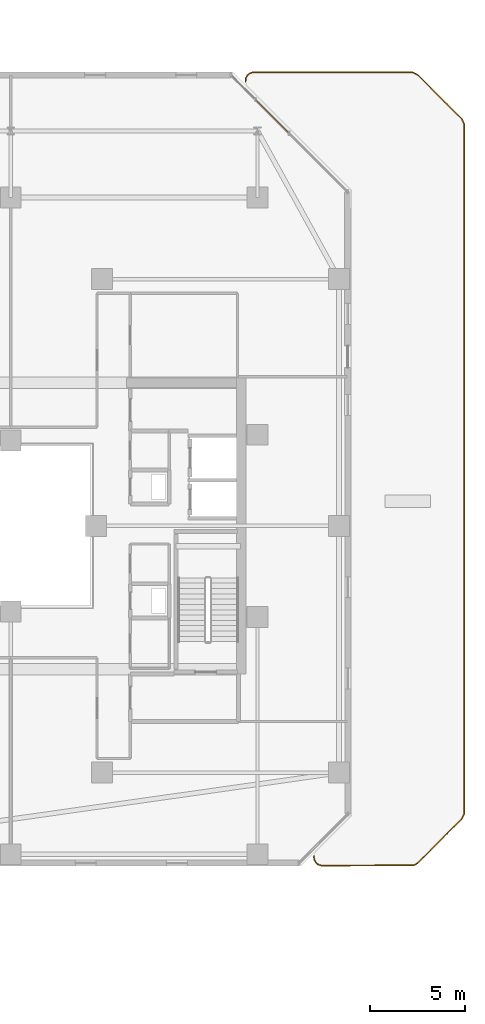
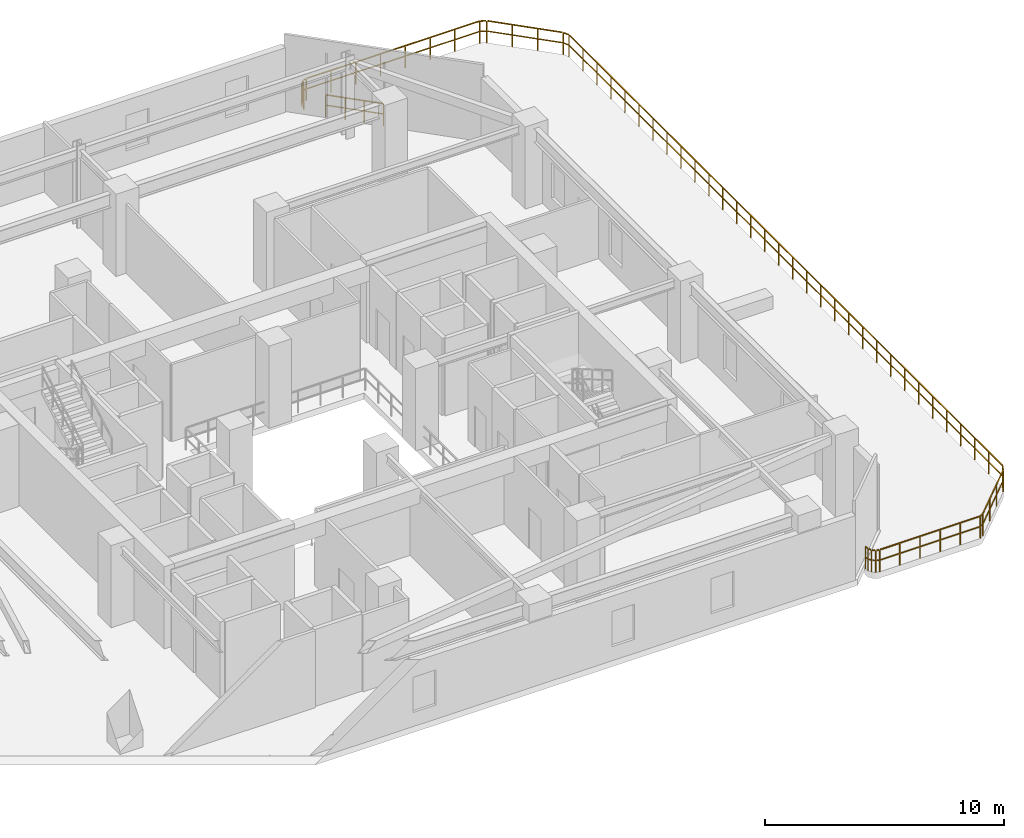
# One storey, part 33 of 33: 3 railings.
"""IFC4 building model written with IfcOpenShell, lengths in metres."""

from ifc_helpers import new_model, si_unit, direction, frame, origin, origin_2d, place, context, subcontext, project, spatial, rectangle, extrude, material, type_object, element, save


model = new_model("IFC4")

# Units and contexts
model_context = context("Model", 3, precision=1e-05, world=origin(), true_north=direction((0.0, 1.0)))
body_context = subcontext(model_context, "Body", "Model", "MODEL_VIEW")
ifc_project = project(units=[si_unit("LENGTHUNIT", "METRE"), si_unit("AREAUNIT", "SQUARE_METRE"), si_unit("VOLUMEUNIT", "CUBIC_METRE"), si_unit("PLANEANGLEUNIT", "RADIAN"), si_unit("MASSUNIT", "GRAM", prefix="KILO")], contexts=[model_context])

# Site, building, storey
site_placement = place(None, origin())
site = spatial("IfcSite", under=ifc_project, at=site_placement, CompositionType="ELEMENT")
building_placement = place(site_placement, origin())
building = spatial("IfcBuilding", under=site, at=building_placement, Name="Thornwick Lancets Civic Towers", CompositionType="ELEMENT")
storey_placement = place(building_placement, frame((0.0, 0.0, 174.300048828125)))
storey = spatial("IfcBuildingStorey", under=building, at=storey_placement, Name="L46", CompositionType="ELEMENT", Elevation=174.300048828125)

# Railings
ifc_material = material(Name="Terracotta-capped laminated glass balustrade S355", Category="masonry")
railing_type = type_object("IfcRailingType", Name="RAIL_TERR_GUARD", PredefinedType="GUARDRAIL", material=ifc_material)
railing_1_placement = place(storey_placement, frame((103.158447265625, 47.690673828125, 0.0)))
element("IfcRailing", 1, at=railing_1_placement, inside=storey, type_object=railing_type, Name="L46 Tower B Chamfer Spandrel Guard E3-1", PredefinedType="GUARDRAIL", context=body_context, shape_type="SweptSolid", body=[
    extrude(rectangle(XDim=0.048095703125, YDim=0.048095703125, at=origin_2d()), frame((0.0, 0.0, 1.1259765625), z_axis=(-0.707106781187, 0.707106781187, 0.0), x_axis=(-0.707106781187, -0.707106781187, 0.0)), (0.0, 0.0, 1.0), 2.5),
    extrude(rectangle(XDim=0.0419921875, YDim=0.0419921875, at=origin_2d()), frame((-0.026611328125, 0.026611328125, 0.597900390625), z_axis=(-0.707106781187, 0.707106781187, 0.0), x_axis=(-0.707106781187, -0.707106781187, 0.0)), (0.0, 0.0, 1.0), 0.75830078125),
    extrude(rectangle(XDim=0.0419921875, YDim=0.0419921875, at=origin_2d()), frame((-0.61572265625, 0.61572265625, 0.597900390625), z_axis=(-0.707106781187, 0.707106781187, 0.0), x_axis=(-0.707106781187, -0.707106781187, 0.0)), (0.0, 0.0, 1.0), 0.75830078125),
    extrude(rectangle(XDim=0.0419921875, YDim=0.0419921875, at=origin_2d()), frame((-1.205078125, 1.205078125, 0.597900390625), z_axis=(-0.707106781187, 0.707106781187, 0.0), x_axis=(-0.707106781187, -0.707106781187, 0.0)), (0.0, 0.0, 1.0), 0.75830078125),
    extrude(rectangle(XDim=0.0419921875, YDim=0.0419921875, at=origin_2d()), origin(), (0.0, 0.0, 1.0), 1.095703125),
    extrude(rectangle(XDim=0.0419921875, YDim=0.0419921875, at=origin_2d()), frame((-0.58935546875, 0.58935546875, 0.0)), (0.0, 0.0, 1.0), 1.095703125),
    extrude(rectangle(XDim=0.0419921875, YDim=0.0419921875, at=origin_2d()), frame((-1.178466796875, 1.178466796875, 0.0)), (0.0, 0.0, 1.0), 1.095703125),
    extrude(rectangle(XDim=0.0419921875, YDim=0.0419921875, at=origin_2d()), frame((-1.767822265625, 1.767822265625, 0.0)), (0.0, 0.0, 1.0), 1.095703125),
])
railing_2_placement = place(storey_placement, frame((109.65771484375, 50.897705078125, 0.0)))
element("IfcRailing", 2, at=railing_2_placement, inside=storey, type_object=railing_type, Name="L46 Tower B Sky-Garden Guard 1 Part 1", PredefinedType="GUARDRAIL", context=body_context, shape_type="SweptSolid", body=[
    extrude(rectangle(XDim=0.048095703125, YDim=0.048095703125, at=origin_2d()), frame((0.0, 0.0, 1.1259765625), z_axis=(0.904343633652, -0.426805098696, 0.0), x_axis=(0.426805098696, 0.904343633652, 0.0)), (0.0, 0.0, 1.0), 0.27197265625),
    extrude(rectangle(XDim=0.0419921875, YDim=0.0419921875, at=origin_2d()), frame((0.033935546875, -0.01611328125, 0.597900390625), z_axis=(0.904343633652, -0.426805098696, 0.0), x_axis=(0.426805098696, 0.904343633652, 0.0)), (0.0, 0.0, 1.0), 0.228271484375),
    extrude(rectangle(XDim=0.048095703125, YDim=0.048095703125, at=origin_2d()), frame((0.29638671875, -0.151611328125, 1.1259765625), z_axis=(0.707106781187, -0.707106781187, 0.0), x_axis=(0.707106781187, 0.707106781187, 0.0)), (0.0, 0.0, 1.0), 3.24169921875),
    extrude(rectangle(XDim=0.0419921875, YDim=0.0419921875, at=origin_2d()), frame((0.30078125, -0.156005859375, 0.597900390625), z_axis=(0.707106781187, -0.707106781187, 0.0), x_axis=(0.707106781187, 0.707106781187, 0.0)), (0.0, 0.0, 1.0), 1.0263671875),
    extrude(rectangle(XDim=0.0419921875, YDim=0.0419921875, at=origin_2d()), frame((1.07958984375, -0.934814453125, 0.597900390625), z_axis=(0.707106781187, -0.707106781187, 0.0), x_axis=(0.707106781187, 0.707106781187, 0.0)), (0.0, 0.0, 1.0), 1.0263671875),
    extrude(rectangle(XDim=0.0419921875, YDim=0.0419921875, at=origin_2d()), frame((1.8583984375, -1.713623046875, 0.597900390625), z_axis=(0.707106781187, -0.707106781187, 0.0), x_axis=(0.707106781187, 0.707106781187, 0.0)), (0.0, 0.0, 1.0), 1.0263671875),
    extrude(rectangle(XDim=0.048095703125, YDim=0.048095703125, at=origin_2d()), frame((2.6240234375, -2.494140625, 1.1259765625), z_axis=(0.426805098696, -0.904343633652, 0.0), x_axis=(0.904343633652, 0.426805098696, 0.0)), (0.0, 0.0, 1.0), 0.24072265625),
    extrude(rectangle(XDim=0.0419921875, YDim=0.0419921875, at=origin_2d()), frame((2.626708984375, -2.499755859375, 0.597900390625), z_axis=(0.426805098696, -0.904343633652, 0.0), x_axis=(0.904343633652, 0.426805098696, 0.0)), (0.0, 0.0, 1.0), 0.228271484375),
    extrude(rectangle(XDim=0.048095703125, YDim=0.048095703125, at=origin_2d()), frame((2.739990234375, -2.771240234375, 1.1259765625), z_axis=(0.0, -1.0, 0.0), x_axis=(1.0, 0.0, 0.0)), (0.0, 0.0, 1.0), 36.2529296875),
    extrude(rectangle(XDim=0.0419921875, YDim=0.0419921875, at=origin_2d()), frame((2.739990234375, -2.777587890625, 0.597900390625), z_axis=(0.0, -1.0, 0.0), x_axis=(1.0, 0.0, 0.0)), (0.0, 0.0, 1.0), 1.096435546875),
    extrude(rectangle(XDim=0.0419921875, YDim=0.0419921875, at=origin_2d()), frame((2.739990234375, -3.948974609375, 0.597900390625), z_axis=(0.0, -1.0, 0.0), x_axis=(1.0, 0.0, 0.0)), (0.0, 0.0, 1.0), 1.096435546875),
    extrude(rectangle(XDim=0.0419921875, YDim=0.0419921875, at=origin_2d()), frame((2.739990234375, -5.120361328125, 0.597900390625), z_axis=(0.0, -1.0, 0.0), x_axis=(1.0, 0.0, 0.0)), (0.0, 0.0, 1.0), 1.096435546875),
    extrude(rectangle(XDim=0.0419921875, YDim=0.0419921875, at=origin_2d()), frame((2.739990234375, -6.2919921875, 0.597900390625), z_axis=(0.0, -1.0, 0.0), x_axis=(1.0, 0.0, 0.0)), (0.0, 0.0, 1.0), 1.096435546875),
    extrude(rectangle(XDim=0.0419921875, YDim=0.0419921875, at=origin_2d()), frame((2.739990234375, -7.46337890625, 0.597900390625), z_axis=(0.0, -1.0, 0.0), x_axis=(1.0, 0.0, 0.0)), (0.0, 0.0, 1.0), 1.096435546875),
    extrude(rectangle(XDim=0.0419921875, YDim=0.0419921875, at=origin_2d()), frame((2.739990234375, -8.634765625, 0.597900390625), z_axis=(0.0, -1.0, 0.0), x_axis=(1.0, 0.0, 0.0)), (0.0, 0.0, 1.0), 1.096435546875),
    extrude(rectangle(XDim=0.0419921875, YDim=0.0419921875, at=origin_2d()), frame((2.739990234375, -9.806396484375, 0.597900390625), z_axis=(0.0, -1.0, 0.0), x_axis=(1.0, 0.0, 0.0)), (0.0, 0.0, 1.0), 1.096435546875),
    extrude(rectangle(XDim=0.0419921875, YDim=0.0419921875, at=origin_2d()), frame((2.739990234375, -10.977783203125, 0.597900390625), z_axis=(0.0, -1.0, 0.0), x_axis=(1.0, 0.0, 0.0)), (0.0, 0.0, 1.0), 1.096435546875),
    extrude(rectangle(XDim=0.0419921875, YDim=0.0419921875, at=origin_2d()), frame((2.739990234375, -12.149169921875, 0.597900390625), z_axis=(0.0, -1.0, 0.0), x_axis=(1.0, 0.0, 0.0)), (0.0, 0.0, 1.0), 1.096435546875),
    extrude(rectangle(XDim=0.0419921875, YDim=0.0419921875, at=origin_2d()), frame((2.739990234375, -13.320556640625, 0.597900390625), z_axis=(0.0, -1.0, 0.0), x_axis=(1.0, 0.0, 0.0)), (0.0, 0.0, 1.0), 1.096435546875),
    extrude(rectangle(XDim=0.0419921875, YDim=0.0419921875, at=origin_2d()), frame((2.739990234375, -14.4921875, 0.597900390625), z_axis=(0.0, -1.0, 0.0), x_axis=(1.0, 0.0, 0.0)), (0.0, 0.0, 1.0), 1.096435546875),
    extrude(rectangle(XDim=0.0419921875, YDim=0.0419921875, at=origin_2d()), frame((2.739990234375, -15.66357421875, 0.597900390625), z_axis=(0.0, -1.0, 0.0), x_axis=(1.0, 0.0, 0.0)), (0.0, 0.0, 1.0), 1.096435546875),
    extrude(rectangle(XDim=0.0419921875, YDim=0.0419921875, at=origin_2d()), frame((2.739990234375, -16.8349609375, 0.597900390625), z_axis=(0.0, -1.0, 0.0), x_axis=(1.0, 0.0, 0.0)), (0.0, 0.0, 1.0), 1.096435546875),
    extrude(rectangle(XDim=0.0419921875, YDim=0.0419921875, at=origin_2d()), frame((2.739990234375, -18.006591796875, 0.597900390625), z_axis=(0.0, -1.0, 0.0), x_axis=(1.0, 0.0, 0.0)), (0.0, 0.0, 1.0), 1.096435546875),
    extrude(rectangle(XDim=0.0419921875, YDim=0.0419921875, at=origin_2d()), frame((2.739990234375, -19.177978515625, 0.597900390625), z_axis=(0.0, -1.0, 0.0), x_axis=(1.0, 0.0, 0.0)), (0.0, 0.0, 1.0), 1.096435546875),
    extrude(rectangle(XDim=0.0419921875, YDim=0.0419921875, at=origin_2d()), frame((2.739990234375, -20.349365234375, 0.597900390625), z_axis=(0.0, -1.0, 0.0), x_axis=(1.0, 0.0, 0.0)), (0.0, 0.0, 1.0), 1.096435546875),
    extrude(rectangle(XDim=0.0419921875, YDim=0.0419921875, at=origin_2d()), frame((2.739990234375, -21.52099609375, 0.597900390625), z_axis=(0.0, -1.0, 0.0), x_axis=(1.0, 0.0, 0.0)), (0.0, 0.0, 1.0), 1.096435546875),
    extrude(rectangle(XDim=0.0419921875, YDim=0.0419921875, at=origin_2d()), frame((2.739990234375, -22.6923828125, 0.597900390625), z_axis=(0.0, -1.0, 0.0), x_axis=(1.0, 0.0, 0.0)), (0.0, 0.0, 1.0), 1.096435546875),
    extrude(rectangle(XDim=0.0419921875, YDim=0.0419921875, at=origin_2d()), frame((2.739990234375, -23.86376953125, 0.597900390625), z_axis=(0.0, -1.0, 0.0), x_axis=(1.0, 0.0, 0.0)), (0.0, 0.0, 1.0), 1.096435546875),
    extrude(rectangle(XDim=0.0419921875, YDim=0.0419921875, at=origin_2d()), frame((2.739990234375, -25.035400390625, 0.597900390625), z_axis=(0.0, -1.0, 0.0), x_axis=(1.0, 0.0, 0.0)), (0.0, 0.0, 1.0), 1.096435546875),
    extrude(rectangle(XDim=0.0419921875, YDim=0.0419921875, at=origin_2d()), frame((2.739990234375, -26.206787109375, 0.597900390625), z_axis=(0.0, -1.0, 0.0), x_axis=(1.0, 0.0, 0.0)), (0.0, 0.0, 1.0), 1.096435546875),
    extrude(rectangle(XDim=0.0419921875, YDim=0.0419921875, at=origin_2d()), frame((2.739990234375, -27.378173828125, 0.597900390625), z_axis=(0.0, -1.0, 0.0), x_axis=(1.0, 0.0, 0.0)), (0.0, 0.0, 1.0), 1.096435546875),
    extrude(rectangle(XDim=0.0419921875, YDim=0.0419921875, at=origin_2d()), frame((2.739990234375, -28.5498046875, 0.597900390625), z_axis=(0.0, -1.0, 0.0), x_axis=(1.0, 0.0, 0.0)), (0.0, 0.0, 1.0), 1.096435546875),
    extrude(rectangle(XDim=0.0419921875, YDim=0.0419921875, at=origin_2d()), frame((2.739990234375, -29.72119140625, 0.597900390625), z_axis=(0.0, -1.0, 0.0), x_axis=(1.0, 0.0, 0.0)), (0.0, 0.0, 1.0), 1.096435546875),
    extrude(rectangle(XDim=0.0419921875, YDim=0.0419921875, at=origin_2d()), frame((2.739990234375, -30.892578125, 0.597900390625), z_axis=(0.0, -1.0, 0.0), x_axis=(1.0, 0.0, 0.0)), (0.0, 0.0, 1.0), 1.096435546875),
    extrude(rectangle(XDim=0.0419921875, YDim=0.0419921875, at=origin_2d()), frame((2.739990234375, -32.064208984375, 0.597900390625), z_axis=(0.0, -1.0, 0.0), x_axis=(1.0, 0.0, 0.0)), (0.0, 0.0, 1.0), 1.096435546875),
    extrude(rectangle(XDim=0.0419921875, YDim=0.0419921875, at=origin_2d()), frame((2.739990234375, -33.235595703125, 0.597900390625), z_axis=(0.0, -1.0, 0.0), x_axis=(1.0, 0.0, 0.0)), (0.0, 0.0, 1.0), 1.096435546875),
    extrude(rectangle(XDim=0.0419921875, YDim=0.0419921875, at=origin_2d()), frame((2.739990234375, -34.406982421875, 0.597900390625), z_axis=(0.0, -1.0, 0.0), x_axis=(1.0, 0.0, 0.0)), (0.0, 0.0, 1.0), 1.096435546875),
    extrude(rectangle(XDim=0.0419921875, YDim=0.0419921875, at=origin_2d()), frame((2.739990234375, -35.57861328125, 0.597900390625), z_axis=(0.0, -1.0, 0.0), x_axis=(1.0, 0.0, 0.0)), (0.0, 0.0, 1.0), 1.096435546875),
    extrude(rectangle(XDim=0.0419921875, YDim=0.0419921875, at=origin_2d()), frame((2.739990234375, -36.75, 0.597900390625), z_axis=(0.0, -1.0, 0.0), x_axis=(1.0, 0.0, 0.0)), (0.0, 0.0, 1.0), 1.096435546875),
    extrude(rectangle(XDim=0.0419921875, YDim=0.0419921875, at=origin_2d()), frame((2.739990234375, -37.92138671875, 0.597900390625), z_axis=(0.0, -1.0, 0.0), x_axis=(1.0, 0.0, 0.0)), (0.0, 0.0, 1.0), 1.096435546875),
    extrude(rectangle(XDim=0.048095703125, YDim=0.048095703125, at=origin_2d()), frame((2.7265625, -39.083740234375, 1.1259765625), z_axis=(-0.426805098696, -0.904343633652, 0.0), x_axis=(0.904343633652, -0.426805098696, 0.0)), (0.0, 0.0, 1.0), 0.24072265625),
    extrude(rectangle(XDim=0.0419921875, YDim=0.0419921875, at=origin_2d()), frame((2.723876953125, -39.08935546875, 0.597900390625), z_axis=(-0.426805098696, -0.904343633652, 0.0), x_axis=(0.904343633652, -0.426805098696, 0.0)), (0.0, 0.0, 1.0), 0.228271484375),
    extrude(rectangle(XDim=0.048095703125, YDim=0.048095703125, at=origin_2d()), frame((2.58837890625, -39.351806640625, 1.1259765625), z_axis=(-0.707106781187, -0.707106781187, 0.0), x_axis=(0.707106781187, -0.707106781187, 0.0)), (0.0, 0.0, 1.0), 3.24169921875),
    extrude(rectangle(XDim=0.0419921875, YDim=0.0419921875, at=origin_2d()), frame((2.583984375, -39.356201171875, 0.597900390625), z_axis=(-0.707106781187, -0.707106781187, 0.0), x_axis=(0.707106781187, -0.707106781187, 0.0)), (0.0, 0.0, 1.0), 1.0263671875),
    extrude(rectangle(XDim=0.0419921875, YDim=0.0419921875, at=origin_2d()), frame((1.80517578125, -40.135009765625, 0.597900390625), z_axis=(-0.707106781187, -0.707106781187, 0.0), x_axis=(0.707106781187, -0.707106781187, 0.0)), (0.0, 0.0, 1.0), 1.0263671875),
    extrude(rectangle(XDim=0.0419921875, YDim=0.0419921875, at=origin_2d()), frame((1.0263671875, -40.913818359375, 0.597900390625), z_axis=(-0.707106781187, -0.707106781187, 0.0), x_axis=(0.707106781187, -0.707106781187, 0.0)), (0.0, 0.0, 1.0), 1.0263671875),
    extrude(rectangle(XDim=0.048095703125, YDim=0.048095703125, at=origin_2d()), frame((0.247314453125, -41.68212890625, 1.1259765625), z_axis=(-0.858181432178, -0.513346500392, 0.0), x_axis=(0.513346500392, -0.858181432178, 0.0)), (0.0, 0.0, 1.0), 0.15625),
    extrude(rectangle(XDim=0.0419921875, YDim=0.0419921875, at=origin_2d()), frame((0.241943359375, -41.685302734375, 0.597900390625), z_axis=(-0.858181432178, -0.513346500392, 0.0), x_axis=(0.513346500392, -0.858181432178, 0.0)), (0.0, 0.0, 1.0), 0.143798828125),
    extrude(rectangle(XDim=0.048095703125, YDim=0.048095703125, at=origin_2d()), frame((0.05517578125, -41.7783203125, 1.1259765625), z_axis=(-0.999993851715, -0.003506641099, 0.0), x_axis=(0.003506641099, -0.999993851715, 0.0)), (0.0, 0.0, 1.0), 4.81103515625),
    extrude(rectangle(XDim=0.0419921875, YDim=0.0419921875, at=origin_2d()), frame((0.048828125, -41.778564453125, 0.597900390625), z_axis=(-0.999993851715, -0.003506641099, 0.0), x_axis=(0.003506641099, -0.999993851715, 0.0)), (0.0, 0.0, 1.0), 0.899658203125),
    extrude(rectangle(XDim=0.0419921875, YDim=0.0419921875, at=origin_2d()), frame((-0.92578125, -41.781982421875, 0.597900390625), z_axis=(-0.999993851715, -0.003506641099, 0.0), x_axis=(0.003506641099, -0.999993851715, 0.0)), (0.0, 0.0, 1.0), 0.899658203125),
    extrude(rectangle(XDim=0.0419921875, YDim=0.0419921875, at=origin_2d()), frame((-1.900390625, -41.785400390625, 0.597900390625), z_axis=(-0.999993851715, -0.003506641099, 0.0), x_axis=(0.003506641099, -0.999993851715, 0.0)), (0.0, 0.0, 1.0), 0.899658203125),
    extrude(rectangle(XDim=0.0419921875, YDim=0.0419921875, at=origin_2d()), frame((-2.875244140625, -41.788818359375, 0.597900390625), z_axis=(-0.999993851715, -0.003506641099, 0.0), x_axis=(0.003506641099, -0.999993851715, 0.0)), (0.0, 0.0, 1.0), 0.899658203125),
    extrude(rectangle(XDim=0.0419921875, YDim=0.0419921875, at=origin_2d()), frame((-3.849853515625, -41.792236328125, 0.597900390625), z_axis=(-0.999993851715, -0.003506641099, 0.0), x_axis=(0.003506641099, -0.999993851715, 0.0)), (0.0, 0.0, 1.0), 0.899658203125),
    extrude(rectangle(XDim=0.048095703125, YDim=0.048095703125, at=origin_2d()), frame((-4.817138671875, -41.786376953125, 1.1259765625), z_axis=(-0.957211427299, 0.289389501276, 0.0), x_axis=(-0.289389501276, -0.957211427299, 0.0)), (0.0, 0.0, 1.0), 0.113037109375),
    extrude(rectangle(XDim=0.0419921875, YDim=0.0419921875, at=origin_2d()), frame((-4.822998046875, -41.78466796875, 0.597900390625), z_axis=(-0.957211427299, 0.289389501276, 0.0), x_axis=(-0.289389501276, -0.957211427299, 0.0)), (0.0, 0.0, 1.0), 0.1005859375),
    extrude(rectangle(XDim=0.048095703125, YDim=0.048095703125, at=origin_2d()), frame((-4.979248046875, -41.724853515625, 1.1259765625), z_axis=(-0.773213238462, 0.634146109242, 0.0), x_axis=(-0.634146109242, -0.773213238462, 0.0)), (0.0, 0.0, 1.0), 0.113037109375),
    extrude(rectangle(XDim=0.0419921875, YDim=0.0419921875, at=origin_2d()), frame((-4.984130859375, -41.720947265625, 0.597900390625), z_axis=(-0.773213238462, 0.634146109242, 0.0), x_axis=(-0.634146109242, -0.773213238462, 0.0)), (0.0, 0.0, 1.0), 0.1005859375),
    extrude(rectangle(XDim=0.048095703125, YDim=0.048095703125, at=origin_2d()), frame((-5.10546875, -41.605712890625, 1.1259765625), z_axis=(-0.470948722639, 0.882160586654, 0.0), x_axis=(-0.882160586654, -0.470948722639, 0.0)), (0.0, 0.0, 1.0), 0.11328125),
    extrude(rectangle(XDim=0.0419921875, YDim=0.0419921875, at=origin_2d()), frame((-5.1083984375, -41.600341796875, 0.597900390625), z_axis=(-0.470948722639, 0.882160586654, 0.0), x_axis=(-0.882160586654, -0.470948722639, 0.0)), (0.0, 0.0, 1.0), 0.100830078125),
    extrude(rectangle(XDim=0.048095703125, YDim=0.048095703125, at=origin_2d()), frame((-5.176513671875, -41.447265625, 1.1259765625), z_axis=(-0.094101126617, 0.99556264392, 0.0), x_axis=(-0.99556264392, -0.094101126617, 0.0)), (0.0, 0.0, 1.0), 0.147705078125),
    extrude(rectangle(XDim=0.0419921875, YDim=0.0419921875, at=origin_2d()), frame((-5.177001953125, -41.44091796875, 0.597900390625), z_axis=(-0.094101126617, 0.99556264392, 0.0), x_axis=(-0.99556264392, -0.094101126617, 0.0)), (0.0, 0.0, 1.0), 0.10400390625),
    extrude(rectangle(XDim=0.0419921875, YDim=0.0419921875, at=origin_2d()), origin(), (0.0, 0.0, 1.0), 1.095703125),
    extrude(rectangle(XDim=0.0419921875, YDim=0.0419921875, at=origin_2d()), frame((0.274169921875, -0.12939453125, 0.0)), (0.0, 0.0, 1.0), 1.095703125),
    extrude(rectangle(XDim=0.0419921875, YDim=0.0419921875, at=origin_2d()), frame((1.052978515625, -0.908203125, 0.0)), (0.0, 0.0, 1.0), 1.095703125),
    extrude(rectangle(XDim=0.0419921875, YDim=0.0419921875, at=origin_2d()), frame((1.831787109375, -1.68701171875, 0.0)), (0.0, 0.0, 1.0), 1.095703125),
    extrude(rectangle(XDim=0.0419921875, YDim=0.0419921875, at=origin_2d()), frame((2.610595703125, -2.4658203125, 0.0)), (0.0, 0.0, 1.0), 1.095703125),
    extrude(rectangle(XDim=0.0419921875, YDim=0.0419921875, at=origin_2d()), frame((2.739990234375, -2.739990234375, 0.0)), (0.0, 0.0, 1.0), 1.095703125),
    extrude(rectangle(XDim=0.0419921875, YDim=0.0419921875, at=origin_2d()), frame((2.739990234375, -3.911376953125, 0.0)), (0.0, 0.0, 1.0), 1.095703125),
    extrude(rectangle(XDim=0.0419921875, YDim=0.0419921875, at=origin_2d()), frame((2.739990234375, -5.0830078125, 0.0)), (0.0, 0.0, 1.0), 1.095703125),
    extrude(rectangle(XDim=0.0419921875, YDim=0.0419921875, at=origin_2d()), frame((2.739990234375, -6.25439453125, 0.0)), (0.0, 0.0, 1.0), 1.095703125),
    extrude(rectangle(XDim=0.0419921875, YDim=0.0419921875, at=origin_2d()), frame((2.739990234375, -7.42578125, 0.0)), (0.0, 0.0, 1.0), 1.095703125),
    extrude(rectangle(XDim=0.0419921875, YDim=0.0419921875, at=origin_2d()), frame((2.739990234375, -8.597412109375, 0.0)), (0.0, 0.0, 1.0), 1.095703125),
    extrude(rectangle(XDim=0.0419921875, YDim=0.0419921875, at=origin_2d()), frame((2.739990234375, -9.768798828125, 0.0)), (0.0, 0.0, 1.0), 1.095703125),
    extrude(rectangle(XDim=0.0419921875, YDim=0.0419921875, at=origin_2d()), frame((2.739990234375, -10.940185546875, 0.0)), (0.0, 0.0, 1.0), 1.095703125),
    extrude(rectangle(XDim=0.0419921875, YDim=0.0419921875, at=origin_2d()), frame((2.739990234375, -12.11181640625, 0.0)), (0.0, 0.0, 1.0), 1.095703125),
    extrude(rectangle(XDim=0.0419921875, YDim=0.0419921875, at=origin_2d()), frame((2.739990234375, -13.283203125, 0.0)), (0.0, 0.0, 1.0), 1.095703125),
    extrude(rectangle(XDim=0.0419921875, YDim=0.0419921875, at=origin_2d()), frame((2.739990234375, -14.45458984375, 0.0)), (0.0, 0.0, 1.0), 1.095703125),
    extrude(rectangle(XDim=0.0419921875, YDim=0.0419921875, at=origin_2d()), frame((2.739990234375, -15.626220703125, 0.0)), (0.0, 0.0, 1.0), 1.095703125),
    extrude(rectangle(XDim=0.0419921875, YDim=0.0419921875, at=origin_2d()), frame((2.739990234375, -16.797607421875, 0.0)), (0.0, 0.0, 1.0), 1.095703125),
    extrude(rectangle(XDim=0.0419921875, YDim=0.0419921875, at=origin_2d()), frame((2.739990234375, -17.968994140625, 0.0)), (0.0, 0.0, 1.0), 1.095703125),
    extrude(rectangle(XDim=0.0419921875, YDim=0.0419921875, at=origin_2d()), frame((2.739990234375, -19.140625, 0.0)), (0.0, 0.0, 1.0), 1.095703125),
    extrude(rectangle(XDim=0.0419921875, YDim=0.0419921875, at=origin_2d()), frame((2.739990234375, -20.31201171875, 0.0)), (0.0, 0.0, 1.0), 1.095703125),
    extrude(rectangle(XDim=0.0419921875, YDim=0.0419921875, at=origin_2d()), frame((2.739990234375, -21.4833984375, 0.0)), (0.0, 0.0, 1.0), 1.095703125),
    extrude(rectangle(XDim=0.0419921875, YDim=0.0419921875, at=origin_2d()), frame((2.739990234375, -22.65478515625, 0.0)), (0.0, 0.0, 1.0), 1.095703125),
    extrude(rectangle(XDim=0.0419921875, YDim=0.0419921875, at=origin_2d()), frame((2.739990234375, -23.826416015625, 0.0)), (0.0, 0.0, 1.0), 1.095703125),
    extrude(rectangle(XDim=0.0419921875, YDim=0.0419921875, at=origin_2d()), frame((2.739990234375, -24.997802734375, 0.0)), (0.0, 0.0, 1.0), 1.095703125),
    extrude(rectangle(XDim=0.0419921875, YDim=0.0419921875, at=origin_2d()), frame((2.739990234375, -26.169189453125, 0.0)), (0.0, 0.0, 1.0), 1.095703125),
    extrude(rectangle(XDim=0.0419921875, YDim=0.0419921875, at=origin_2d()), frame((2.739990234375, -27.3408203125, 0.0)), (0.0, 0.0, 1.0), 1.095703125),
    extrude(rectangle(XDim=0.0419921875, YDim=0.0419921875, at=origin_2d()), frame((2.739990234375, -28.51220703125, 0.0)), (0.0, 0.0, 1.0), 1.095703125),
    extrude(rectangle(XDim=0.0419921875, YDim=0.0419921875, at=origin_2d()), frame((2.739990234375, -29.68359375, 0.0)), (0.0, 0.0, 1.0), 1.095703125),
    extrude(rectangle(XDim=0.0419921875, YDim=0.0419921875, at=origin_2d()), frame((2.739990234375, -30.855224609375, 0.0)), (0.0, 0.0, 1.0), 1.095703125),
    extrude(rectangle(XDim=0.0419921875, YDim=0.0419921875, at=origin_2d()), frame((2.739990234375, -32.026611328125, 0.0)), (0.0, 0.0, 1.0), 1.095703125),
    extrude(rectangle(XDim=0.0419921875, YDim=0.0419921875, at=origin_2d()), frame((2.739990234375, -33.197998046875, 0.0)), (0.0, 0.0, 1.0), 1.095703125),
    extrude(rectangle(XDim=0.0419921875, YDim=0.0419921875, at=origin_2d()), frame((2.739990234375, -34.36962890625, 0.0)), (0.0, 0.0, 1.0), 1.095703125),
    extrude(rectangle(XDim=0.0419921875, YDim=0.0419921875, at=origin_2d()), frame((2.739990234375, -35.541015625, 0.0)), (0.0, 0.0, 1.0), 1.095703125),
    extrude(rectangle(XDim=0.0419921875, YDim=0.0419921875, at=origin_2d()), frame((2.739990234375, -36.71240234375, 0.0)), (0.0, 0.0, 1.0), 1.095703125),
    extrude(rectangle(XDim=0.0419921875, YDim=0.0419921875, at=origin_2d()), frame((2.739990234375, -37.884033203125, 0.0)), (0.0, 0.0, 1.0), 1.095703125),
    extrude(rectangle(XDim=0.0419921875, YDim=0.0419921875, at=origin_2d()), frame((2.739990234375, -39.055419921875, 0.0)), (0.0, 0.0, 1.0), 1.095703125),
    extrude(rectangle(XDim=0.0419921875, YDim=0.0419921875, at=origin_2d()), frame((2.610595703125, -39.32958984375, 0.0)), (0.0, 0.0, 1.0), 1.095703125),
    extrude(rectangle(XDim=0.0419921875, YDim=0.0419921875, at=origin_2d()), frame((1.831787109375, -40.1083984375, 0.0)), (0.0, 0.0, 1.0), 1.095703125),
    extrude(rectangle(XDim=0.0419921875, YDim=0.0419921875, at=origin_2d()), frame((1.052978515625, -40.88720703125, 0.0)), (0.0, 0.0, 1.0), 1.095703125),
    extrude(rectangle(XDim=0.0419921875, YDim=0.0419921875, at=origin_2d()), frame((0.274169921875, -41.666015625, 0.0)), (0.0, 0.0, 1.0), 1.095703125),
    extrude(rectangle(XDim=0.0419921875, YDim=0.0419921875, at=origin_2d()), frame((0.08642578125, -41.7783203125, 0.0)), (0.0, 0.0, 1.0), 1.095703125),
    extrude(rectangle(XDim=0.0419921875, YDim=0.0419921875, at=origin_2d()), frame((-0.88818359375, -41.78173828125, 0.0)), (0.0, 0.0, 1.0), 1.095703125),
    extrude(rectangle(XDim=0.0419921875, YDim=0.0419921875, at=origin_2d()), frame((-1.863037109375, -41.78515625, 0.0)), (0.0, 0.0, 1.0), 1.095703125),
    extrude(rectangle(XDim=0.0419921875, YDim=0.0419921875, at=origin_2d()), frame((-2.837646484375, -41.78857421875, 0.0)), (0.0, 0.0, 1.0), 1.095703125),
    extrude(rectangle(XDim=0.0419921875, YDim=0.0419921875, at=origin_2d()), frame((-3.8125, -41.7919921875, 0.0)), (0.0, 0.0, 1.0), 1.095703125),
    extrude(rectangle(XDim=0.0419921875, YDim=0.0419921875, at=origin_2d()), frame((-4.787109375, -41.79541015625, 0.0)), (0.0, 0.0, 1.0), 1.095703125),
    extrude(rectangle(XDim=0.0419921875, YDim=0.0419921875, at=origin_2d()), frame((-4.955078125, -41.74462890625, 0.0)), (0.0, 0.0, 1.0), 1.095703125),
    extrude(rectangle(XDim=0.0419921875, YDim=0.0419921875, at=origin_2d()), frame((-5.0908203125, -41.63330078125, 0.0)), (0.0, 0.0, 1.0), 1.095703125),
    extrude(rectangle(XDim=0.0419921875, YDim=0.0419921875, at=origin_2d()), frame((-5.173583984375, -41.478271484375, 0.0)), (0.0, 0.0, 1.0), 1.095703125),
    extrude(rectangle(XDim=0.0419921875, YDim=0.0419921875, at=origin_2d()), frame((-5.1904296875, -41.300048828125, 0.0)), (0.0, 0.0, 1.0), 1.095703125),
])
railing_3_placement = place(storey_placement, frame((100.8671875, 50.40234375, 0.0)))
element("IfcRailing", 3, at=railing_3_placement, inside=storey, type_object=railing_type, Name="L46 Tower B Sky-Garden Guard 1 Part 2", PredefinedType="GUARDRAIL", context=body_context, shape_type="SweptSolid", body=[
    extrude(rectangle(XDim=0.048095703125, YDim=0.048095703125, at=origin_2d()), frame((0.0, 0.0, 1.1259765625), z_axis=(0.094101126617, 0.99556264392, 0.0), x_axis=(-0.99556264392, 0.094101126617, 0.0)), (0.0, 0.0, 1.0), 0.147705078125),
    extrude(rectangle(XDim=0.0419921875, YDim=0.0419921875, at=origin_2d()), frame((0.00341796875, 0.037353515625, 0.597900390625), z_axis=(0.094101126617, 0.99556264392, 0.0), x_axis=(-0.99556264392, 0.094101126617, 0.0)), (0.0, 0.0, 1.0), 0.10400390625),
    extrude(rectangle(XDim=0.048095703125, YDim=0.048095703125, at=origin_2d()), frame((0.031494140625, 0.205810546875, 1.1259765625), z_axis=(0.470948722639, 0.882160586654, 0.0), x_axis=(-0.882160586654, 0.470948722639, 0.0)), (0.0, 0.0, 1.0), 0.11328125),
    extrude(rectangle(XDim=0.0419921875, YDim=0.0419921875, at=origin_2d()), frame((0.034423828125, 0.211181640625, 0.597900390625), z_axis=(0.470948722639, 0.882160586654, 0.0), x_axis=(-0.882160586654, 0.470948722639, 0.0)), (0.0, 0.0, 1.0), 0.100830078125),
    extrude(rectangle(XDim=0.048095703125, YDim=0.048095703125, at=origin_2d()), frame((0.123779296875, 0.35302734375, 1.1259765625), z_axis=(0.773213238462, 0.634146109242, 0.0), x_axis=(-0.634146109242, 0.773213238462, 0.0)), (0.0, 0.0, 1.0), 0.113037109375),
    extrude(rectangle(XDim=0.0419921875, YDim=0.0419921875, at=origin_2d()), frame((0.128662109375, 0.35693359375, 0.597900390625), z_axis=(0.773213238462, 0.634146109242, 0.0), x_axis=(-0.634146109242, 0.773213238462, 0.0)), (0.0, 0.0, 1.0), 0.1005859375),
    extrude(rectangle(XDim=0.048095703125, YDim=0.048095703125, at=origin_2d()), frame((0.265380859375, 0.45361328125, 1.1259765625), z_axis=(0.957211427299, 0.289389501276, 0.0), x_axis=(-0.289389501276, 0.957211427299, 0.0)), (0.0, 0.0, 1.0), 0.113037109375),
    extrude(rectangle(XDim=0.0419921875, YDim=0.0419921875, at=origin_2d()), frame((0.271240234375, 0.455322265625, 0.597900390625), z_axis=(0.957211427299, 0.289389501276, 0.0), x_axis=(-0.289389501276, 0.957211427299, 0.0)), (0.0, 0.0, 1.0), 0.1005859375),
    extrude(rectangle(XDim=0.048095703125, YDim=0.048095703125, at=origin_2d()), frame((0.4345703125, 0.495361328125, 1.1259765625), z_axis=(1.0, 0.0, 0.0), x_axis=(0.0, 1.0, 0.0)), (0.0, 0.0, 1.0), 8.35595703125),
    extrude(rectangle(XDim=0.0419921875, YDim=0.0419921875, at=origin_2d()), frame((0.44091796875, 0.495361328125, 0.597900390625), z_axis=(1.0, 0.0, 0.0), x_axis=(0.0, 1.0, 0.0)), (0.0, 0.0, 1.0), 1.123291015625),
    extrude(rectangle(XDim=0.0419921875, YDim=0.0419921875, at=origin_2d()), frame((1.638916015625, 0.495361328125, 0.597900390625), z_axis=(1.0, 0.0, 0.0), x_axis=(0.0, 1.0, 0.0)), (0.0, 0.0, 1.0), 1.123291015625),
    extrude(rectangle(XDim=0.0419921875, YDim=0.0419921875, at=origin_2d()), frame((2.837158203125, 0.495361328125, 0.597900390625), z_axis=(1.0, 0.0, 0.0), x_axis=(0.0, 1.0, 0.0)), (0.0, 0.0, 1.0), 1.123291015625),
    extrude(rectangle(XDim=0.0419921875, YDim=0.0419921875, at=origin_2d()), frame((4.035400390625, 0.495361328125, 0.597900390625), z_axis=(1.0, 0.0, 0.0), x_axis=(0.0, 1.0, 0.0)), (0.0, 0.0, 1.0), 1.123291015625),
    extrude(rectangle(XDim=0.0419921875, YDim=0.0419921875, at=origin_2d()), frame((5.2333984375, 0.495361328125, 0.597900390625), z_axis=(1.0, 0.0, 0.0), x_axis=(0.0, 1.0, 0.0)), (0.0, 0.0, 1.0), 1.123291015625),
    extrude(rectangle(XDim=0.0419921875, YDim=0.0419921875, at=origin_2d()), frame((6.431640625, 0.495361328125, 0.597900390625), z_axis=(1.0, 0.0, 0.0), x_axis=(0.0, 1.0, 0.0)), (0.0, 0.0, 1.0), 1.123291015625),
    extrude(rectangle(XDim=0.0419921875, YDim=0.0419921875, at=origin_2d()), frame((7.6298828125, 0.495361328125, 0.597900390625), z_axis=(1.0, 0.0, 0.0), x_axis=(0.0, 1.0, 0.0)), (0.0, 0.0, 1.0), 1.123291015625),
    extrude(rectangle(XDim=0.0419921875, YDim=0.0419921875, at=origin_2d()), origin(), (0.0, 0.0, 1.0), 1.095703125),
    extrude(rectangle(XDim=0.0419921875, YDim=0.0419921875, at=origin_2d()), frame((0.016845703125, 0.17822265625, 0.0)), (0.0, 0.0, 1.0), 1.095703125),
    extrude(rectangle(XDim=0.0419921875, YDim=0.0419921875, at=origin_2d()), frame((0.099609375, 0.333251953125, 0.0)), (0.0, 0.0, 1.0), 1.095703125),
    extrude(rectangle(XDim=0.0419921875, YDim=0.0419921875, at=origin_2d()), frame((0.2353515625, 0.444580078125, 0.0)), (0.0, 0.0, 1.0), 1.095703125),
    extrude(rectangle(XDim=0.0419921875, YDim=0.0419921875, at=origin_2d()), frame((0.4033203125, 0.495361328125, 0.0)), (0.0, 0.0, 1.0), 1.095703125),
    extrude(rectangle(XDim=0.0419921875, YDim=0.0419921875, at=origin_2d()), frame((1.6015625, 0.495361328125, 0.0)), (0.0, 0.0, 1.0), 1.095703125),
    extrude(rectangle(XDim=0.0419921875, YDim=0.0419921875, at=origin_2d()), frame((2.799560546875, 0.495361328125, 0.0)), (0.0, 0.0, 1.0), 1.095703125),
    extrude(rectangle(XDim=0.0419921875, YDim=0.0419921875, at=origin_2d()), frame((3.997802734375, 0.495361328125, 0.0)), (0.0, 0.0, 1.0), 1.095703125),
    extrude(rectangle(XDim=0.0419921875, YDim=0.0419921875, at=origin_2d()), frame((5.196044921875, 0.495361328125, 0.0)), (0.0, 0.0, 1.0), 1.095703125),
    extrude(rectangle(XDim=0.0419921875, YDim=0.0419921875, at=origin_2d()), frame((6.394287109375, 0.495361328125, 0.0)), (0.0, 0.0, 1.0), 1.095703125),
    extrude(rectangle(XDim=0.0419921875, YDim=0.0419921875, at=origin_2d()), frame((7.59228515625, 0.495361328125, 0.0)), (0.0, 0.0, 1.0), 1.095703125),
    extrude(rectangle(XDim=0.0419921875, YDim=0.0419921875, at=origin_2d()), frame((8.79052734375, 0.495361328125, 0.0)), (0.0, 0.0, 1.0), 1.095703125),
])

save(model, "model.ifc")
